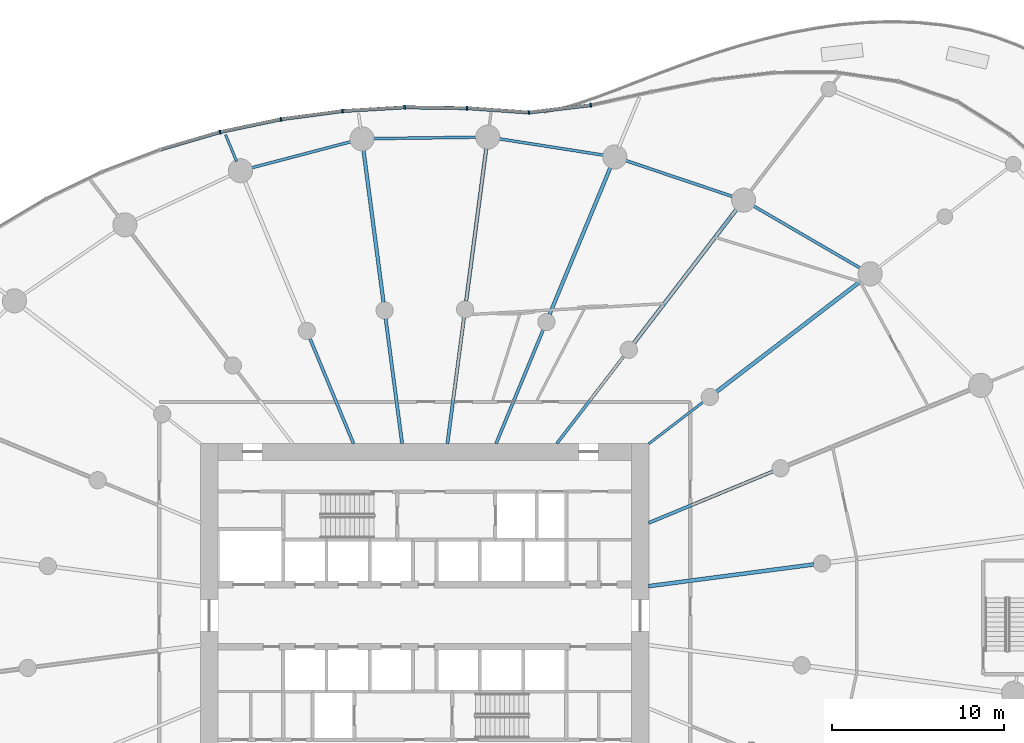
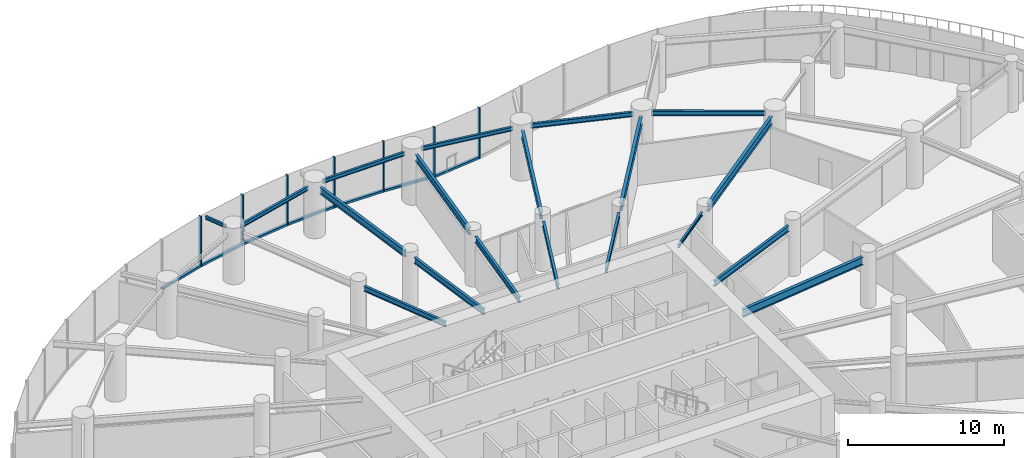
# One storey, part 5 of 21: 19 beams, 14 members, 2 elements without a shape of their own.
"""IFC4 building model written with IfcOpenShell, lengths in metres."""

from ifc_helpers import new_model, si_unit, direction, frame, origin, origin_2d, place, context, subcontext, project, spatial, rectangle, i_section, extrude, source, transform, mapped, material, layer, layer_set, material_profile, profile_set, type_object, element, aggregate, save


model = new_model("IFC4")

# Units and contexts
model_context = context("Model", 3, precision=1e-05, world=origin(), true_north=direction((0.0, 1.0)))
body_context = subcontext(model_context, "Body", "Model", "MODEL_VIEW")
ifc_project = project(units=[si_unit("LENGTHUNIT", "METRE"), si_unit("AREAUNIT", "SQUARE_METRE"), si_unit("VOLUMEUNIT", "CUBIC_METRE"), si_unit("PLANEANGLEUNIT", "RADIAN"), si_unit("MASSUNIT", "GRAM", prefix="KILO")], contexts=[model_context])

# Site, building, storey
site_placement = place(None, origin())
site = spatial("IfcSite", under=ifc_project, at=site_placement, CompositionType="ELEMENT")
building_placement = place(site_placement, origin())
building = spatial("IfcBuilding", under=site, at=building_placement, Name="Spindrift Exchange Tower", CompositionType="ELEMENT")
storey_placement = place(building_placement, frame((0.0, 0.0, 9.39990234375)))
storey = spatial("IfcBuildingStorey", under=building, at=storey_placement, Name="L02", CompositionType="ELEMENT", Elevation=9.39990234375)

# Beams
ifc_material_1 = material(Name="Steel Grade 300", Category="steel")
ifc_material_profile_1 = material_profile(ifc_material_1, i_section(OverallWidth=0.22802734375, OverallDepth=0.60693359375, WebThickness=0.01123046875, FlangeThickness=0.017333984375, FilletRadius=0.013916015625, at=origin_2d()), Name="610UB113")
ifc_profile_set_1 = profile_set([ifc_material_profile_1], Name="Steel Grade 300")
beam_type_1 = type_object("IfcBeamType", Name="Floor Beam 610UB113 Steel Grade 300", PredefinedType="BEAM", material=ifc_profile_set_1)
shared_shape_1 = source(origin(), body_context, "Body", "SweptSolid", [
    extrude(i_section(OverallWidth=0.22802734375, OverallDepth=0.60693359375, WebThickness=0.01123046875, FlangeThickness=0.017333984375, FilletRadius=0.013916015625, at=origin_2d()), origin(), (0.0, 0.0, 1.0), 9.660400390625),
])
beam_1_placement = place(storey_placement, frame((64.980224609375, 49.708984375, 3.646484375), z_axis=(0.99144767089, 0.130504850054, 0.0), x_axis=(-0.130504850054, 0.99144767089, 0.0)))
element("IfcBeam", 1, at=beam_1_placement, inside=storey, type_object=beam_type_1, Name="L02 radial beam R01A", PredefinedType="BEAM", context=body_context, shape_type="MappedRepresentation", body=[
    mapped(shared_shape_1, transform((0.0, 0.0, 0.0), scale=1.0)),
])
ifc_material_profile_2 = material_profile(ifc_material_1, i_section(OverallWidth=0.18994140625, OverallDepth=0.45703125, WebThickness=0.009033203125, FlangeThickness=0.014404296875, FilletRadius=0.013916015625, at=origin_2d()), Name="460UB74.6")
ifc_profile_set_2 = profile_set([ifc_material_profile_2], Name="Steel Grade 300")
beam_type_2 = type_object("IfcBeamType", Name="Floor Beam 460UB74.6 Steel Grade 300", PredefinedType="BEAM", material=ifc_profile_set_2)
shared_shape_2 = source(origin(), body_context, "Body", "SweptSolid", [
    extrude(i_section(OverallWidth=0.18994140625, OverallDepth=0.45703125, WebThickness=0.009033203125, FlangeThickness=0.014404296875, FilletRadius=0.013916015625, at=origin_2d()), origin(), (0.0, 0.0, 1.0), 7.808837890625),
])
beam_2_placement = place(storey_placement, frame((64.9814453125, 53.377197265625, 3.7216796875), z_axis=(0.92387965154, 0.382683145003, 0.0), x_axis=(-0.382683145003, 0.92387965154, 0.0)))
element("IfcBeam", 2, at=beam_2_placement, inside=storey, type_object=beam_type_2, Name="L02 radial beam R02A", PredefinedType="BEAM", context=body_context, shape_type="MappedRepresentation", body=[
    mapped(shared_shape_2, transform((0.0, 0.0, 0.0), scale=1.0)),
])
ifc_material_profile_3 = material_profile(ifc_material_1, i_section(OverallWidth=0.14599609375, OverallDepth=0.251953125, WebThickness=0.006103515625, FlangeThickness=0.008544921875, FilletRadius=0.011962890625, at=origin_2d()), Name="250UB31.4")
ifc_profile_set_3 = profile_set([ifc_material_profile_3], Name="Steel Grade 300")
beam_type_3 = type_object("IfcBeamType", Name="Floor Beam 250UB31.4 Steel Grade 300", PredefinedType="BEAM", material=ifc_profile_set_3)
shared_shape_3 = source(origin(), body_context, "Body", "SweptSolid", [
    extrude(i_section(OverallWidth=0.14599609375, OverallDepth=0.251953125, WebThickness=0.006103515625, FlangeThickness=0.008544921875, FilletRadius=0.011962890625, at=origin_2d()), origin(), (0.0, 0.0, 1.0), 3.99560546875),
])
beam_3_placement = place(storey_placement, frame((64.984130859375, 57.963134765625, 3.82421875), z_axis=(0.793352561574, 0.608762443851, 0.0), x_axis=(-0.608762443851, 0.793352561574, 0.0)))
element("IfcBeam", 3, at=beam_3_placement, inside=storey, type_object=beam_type_3, Name="L02 radial beam R03A", PredefinedType="BEAM", context=body_context, shape_type="MappedRepresentation", body=[
    mapped(shared_shape_3, transform((0.0, 0.0, 0.0), scale=1.0)),
])
shared_shape_4 = source(origin(), body_context, "Body", "SweptSolid", [
    extrude(i_section(OverallWidth=0.22802734375, OverallDepth=0.60693359375, WebThickness=0.01123046875, FlangeThickness=0.017333984375, FilletRadius=0.013916015625, at=origin_2d()), origin(), (0.0, 0.0, 1.0), 10.66357421875),
])
beam_4_placement = place(storey_placement, frame((68.91552734375, 60.979736328125, 3.646484375), z_axis=(0.793357926757, 0.608755451764, 0.0), x_axis=(-0.608755451764, 0.793357926757, 0.0)))
element("IfcBeam", 4, at=beam_4_placement, inside=storey, type_object=beam_type_1, Name="L02 radial beam R03B", PredefinedType="BEAM", context=body_context, shape_type="MappedRepresentation", body=[
    mapped(shared_shape_4, transform((0.0, 0.0, 0.0), scale=1.0)),
])
ifc_material_profile_4 = material_profile(ifc_material_1, i_section(OverallWidth=0.172119140625, OverallDepth=0.35888671875, WebThickness=0.008056640625, FlangeThickness=0.012939453125, FilletRadius=0.013916015625, at=origin_2d()), Name="360UB56.7")
ifc_profile_set_4 = profile_set([ifc_material_profile_4], Name="Steel Grade 300")
beam_type_4 = type_object("IfcBeamType", Name="Floor Beam 360UB56.7 Steel Grade 300", PredefinedType="BEAM", material=ifc_profile_set_4)
shared_shape_5 = source(origin(), body_context, "Body", "SweptSolid", [
    extrude(i_section(OverallWidth=0.172119140625, OverallDepth=0.35888671875, WebThickness=0.008056640625, FlangeThickness=0.012939453125, FilletRadius=0.013916015625, at=origin_2d()), origin(), (0.0, 0.0, 1.0), 6.37646484375),
])
beam_5_placement = place(storey_placement, frame((59.6611328125, 57.984130859375, 3.7705078125), z_axis=(0.608766669952, 0.793349318747, 0.0), x_axis=(-0.793349318747, 0.608766669952, 0.0)))
element("IfcBeam", 5, at=beam_5_placement, inside=storey, type_object=beam_type_4, Name="L02 radial beam R04A", PredefinedType="BEAM", context=body_context, shape_type="MappedRepresentation", body=[
    mapped(shared_shape_5, transform((0.0, 0.0, 0.0), scale=1.0)),
])
shared_shape_6 = source(origin(), body_context, "Body", "SweptSolid", [
    extrude(i_section(OverallWidth=0.22802734375, OverallDepth=0.60693359375, WebThickness=0.01123046875, FlangeThickness=0.017333984375, FilletRadius=0.013916015625, at=origin_2d()), origin(), (0.0, 0.0, 1.0), 9.87548828125),
])
beam_6_placement = place(storey_placement, frame((64.127197265625, 63.8046875, 3.646484375), z_axis=(0.608772470836, 0.793344867477, 0.0), x_axis=(-0.793344867477, 0.608772470836, 0.0)))
element("IfcBeam", 6, at=beam_6_placement, inside=storey, type_object=beam_type_1, Name="L02 radial beam R04B", PredefinedType="BEAM", context=body_context, shape_type="MappedRepresentation", body=[
    mapped(shared_shape_6, transform((0.0, 0.0, 0.0), scale=1.0)),
])
ifc_material_profile_5 = material_profile(ifc_material_1, i_section(OverallWidth=0.177978515625, OverallDepth=0.406005859375, WebThickness=0.0078125, FlangeThickness=0.0126953125, FilletRadius=0.013916015625, at=origin_2d()), Name="410UB59.7")
ifc_profile_set_5 = profile_set([ifc_material_profile_5], Name="Steel Grade 300")
beam_type_5 = type_object("IfcBeamType", Name="Floor Beam 410UB59.7 Steel Grade 300", PredefinedType="BEAM", material=ifc_profile_set_5)
shared_shape_7 = source(origin(), body_context, "Body", "SweptSolid", [
    extrude(i_section(OverallWidth=0.177978515625, OverallDepth=0.406005859375, WebThickness=0.0078125, FlangeThickness=0.0126953125, FilletRadius=0.013916015625, at=origin_2d()), origin(), (0.0, 0.0, 1.0), 7.150634765625),
])
beam_7_placement = place(storey_placement, frame((56.134521484375, 57.9814453125, 3.7470703125), z_axis=(0.382665393358, 0.923887004306, 0.0), x_axis=(-0.923887004306, 0.382665393358, 0.0)))
element("IfcBeam", 7, at=beam_7_placement, inside=storey, type_object=beam_type_5, Name="L02 radial beam R05A", PredefinedType="BEAM", context=body_context, shape_type="MappedRepresentation", body=[
    mapped(shared_shape_7, transform((0.0, 0.0, 0.0), scale=1.0)),
])
ifc_material_profile_6 = material_profile(ifc_material_1, i_section(OverallWidth=0.208984375, OverallDepth=0.532958984375, WebThickness=0.01025390625, FlangeThickness=0.015625, FilletRadius=0.013916015625, at=origin_2d()), Name="530UB92.4")
ifc_profile_set_6 = profile_set([ifc_material_profile_6], Name="Steel Grade 300")
beam_type_6 = type_object("IfcBeamType", Name="Floor Beam 530UB92.4 Steel Grade 300", PredefinedType="BEAM", material=ifc_profile_set_6)
shared_shape_8 = source(origin(), body_context, "Body", "SweptSolid", [
    extrude(i_section(OverallWidth=0.208984375, OverallDepth=0.532958984375, WebThickness=0.01025390625, FlangeThickness=0.015625, FilletRadius=0.013916015625, at=origin_2d()), origin(), (0.0, 0.0, 1.0), 9.309326171875),
])
beam_8_placement = place(storey_placement, frame((59.23828125, 65.474853515625, 3.68359375), z_axis=(0.382685326691, 0.923878747853, 0.0), x_axis=(-0.923878747853, 0.382685326691, 0.0)))
element("IfcBeam", 8, at=beam_8_placement, inside=storey, type_object=beam_type_6, Name="L02 radial beam R05B", PredefinedType="BEAM", context=body_context, shape_type="MappedRepresentation", body=[
    mapped(shared_shape_8, transform((0.0, 0.0, 0.0), scale=1.0)),
])
shared_shape_9 = source(origin(), body_context, "Body", "SweptSolid", [
    extrude(i_section(OverallWidth=0.18994140625, OverallDepth=0.45703125, WebThickness=0.009033203125, FlangeThickness=0.014404296875, FilletRadius=0.013916015625, at=origin_2d()), origin(), (0.0, 0.0, 1.0), 7.374267578125),
])
beam_9_placement = place(storey_placement, frame((53.31396484375, 57.980224609375, 3.7216796875), z_axis=(0.130539295622, 0.99144313619, 0.0), x_axis=(-0.99144313619, 0.130539295622, 0.0)))
element("IfcBeam", 9, at=beam_9_placement, inside=storey, type_object=beam_type_2, Name="L02 radial beam R06A", PredefinedType="BEAM", context=body_context, shape_type="MappedRepresentation", body=[
    mapped(shared_shape_9, transform((0.0, 0.0, 0.0), scale=1.0)),
])
shared_shape_10 = source(origin(), body_context, "Body", "SweptSolid", [
    extrude(i_section(OverallWidth=0.208984375, OverallDepth=0.532958984375, WebThickness=0.01025390625, FlangeThickness=0.015625, FilletRadius=0.013916015625, at=origin_2d()), origin(), (0.0, 0.0, 1.0), 9.020263671875),
])
beam_10_placement = place(storey_placement, frame((54.40185546875, 66.2431640625, 3.68359375), z_axis=(0.13051122338, 0.991446831944, 0.0), x_axis=(-0.991446831944, 0.13051122338, 0.0)))
element("IfcBeam", 10, at=beam_10_placement, inside=storey, type_object=beam_type_6, Name="L02 radial beam R06B", PredefinedType="BEAM", context=body_context, shape_type="MappedRepresentation", body=[
    mapped(shared_shape_10, transform((0.0, 0.0, 0.0), scale=1.0)),
])
shared_shape_11 = source(origin(), body_context, "Body", "SweptSolid", [
    extrude(i_section(OverallWidth=0.18994140625, OverallDepth=0.45703125, WebThickness=0.009033203125, FlangeThickness=0.014404296875, FilletRadius=0.013916015625, at=origin_2d()), origin(), (0.0, 0.0, 1.0), 7.3095703125),
])
beam_11_placement = place(storey_placement, frame((50.68603515625, 57.980224609375, 3.7216796875), z_axis=(-0.130527087244, 0.991444743541, 0.0), x_axis=(-0.991444743541, -0.130527087244, 0.0)))
element("IfcBeam", 11, at=beam_11_placement, inside=storey, type_object=beam_type_2, Name="L02 radial beam R07A", PredefinedType="BEAM", context=body_context, shape_type="MappedRepresentation", body=[
    mapped(shared_shape_11, transform((0.0, 0.0, 0.0), scale=1.0)),
])
shared_shape_12 = source(origin(), body_context, "Body", "SweptSolid", [
    extrude(i_section(OverallWidth=0.208984375, OverallDepth=0.532958984375, WebThickness=0.01025390625, FlangeThickness=0.015625, FilletRadius=0.013916015625, at=origin_2d()), origin(), (0.0, 0.0, 1.0), 8.98388671875),
])
beam_12_placement = place(storey_placement, frame((49.606689453125, 66.17919921875, 3.68359375), z_axis=(-0.130524106785, 0.991445135924, 0.0), x_axis=(-0.991445135924, -0.130524106785, 0.0)))
element("IfcBeam", 12, at=beam_12_placement, inside=storey, type_object=beam_type_6, Name="L02 radial beam R07B", PredefinedType="BEAM", context=body_context, shape_type="MappedRepresentation", body=[
    mapped(shared_shape_12, transform((0.0, 0.0, 0.0), scale=1.0)),
])
shared_shape_13 = source(origin(), body_context, "Body", "SweptSolid", [
    extrude(i_section(OverallWidth=0.177978515625, OverallDepth=0.406005859375, WebThickness=0.0078125, FlangeThickness=0.0126953125, FilletRadius=0.013916015625, at=origin_2d()), origin(), (0.0, 0.0, 1.0), 6.594482421875),
])
beam_13_placement = place(storey_placement, frame((47.865478515625, 57.9814453125, 3.7470703125), z_axis=(-0.382692929746, 0.92387559851, 0.0), x_axis=(-0.92387559851, -0.382692929746, 0.0)))
element("IfcBeam", 13, at=beam_13_placement, inside=storey, type_object=beam_type_5, Name="L02 radial beam R08A", PredefinedType="BEAM", context=body_context, shape_type="MappedRepresentation", body=[
    mapped(shared_shape_13, transform((0.0, 0.0, 0.0), scale=1.0)),
])
ifc_material_profile_7 = material_profile(ifc_material_1, i_section(OverallWidth=0.14599609375, OverallDepth=0.251953125, WebThickness=0.006103515625, FlangeThickness=0.008544921875, FilletRadius=0.011962890625, at=origin_2d()), Name="250UB31.4")
ifc_profile_set_7 = profile_set([ifc_material_profile_7], Name="Steel Grade 300")
beam_type_7 = type_object("IfcBeamType", Name="Cantilever Beam 250UB31.4 Steel Grade 300", PredefinedType="BEAM", material=ifc_profile_set_7)
shared_shape_14 = source(origin(), body_context, "Body", "SweptSolid", [
    extrude(i_section(OverallWidth=0.14599609375, OverallDepth=0.251953125, WebThickness=0.006103515625, FlangeThickness=0.008544921875, FilletRadius=0.011962890625, at=origin_2d()), origin(), (0.0, 0.0, 1.0), 1.677978515625),
])
beam_14_placement = place(storey_placement, frame((41.087890625, 74.344482421875, 3.82421875), z_axis=(-0.382775805905, 0.923841264728, 0.0), x_axis=(-0.923841264728, -0.382775805905, 0.0)))
element("IfcBeam", 14, at=beam_14_placement, inside=storey, type_object=beam_type_7, Name="L02 cantilever beam R08T", PredefinedType="BEAM", context=body_context, shape_type="MappedRepresentation", body=[
    mapped(shared_shape_14, transform((0.0, 0.0, 0.0), scale=1.0)),
])
ifc_material_profile_8 = material_profile(ifc_material_1, i_section(OverallWidth=0.172119140625, OverallDepth=0.35888671875, WebThickness=0.008056640625, FlangeThickness=0.012939453125, FilletRadius=0.013916015625, at=origin_2d()), Name="360UB56.7")
ifc_profile_set_8 = profile_set([ifc_material_profile_8], Name="Steel Grade 300")
beam_type_8 = type_object("IfcBeamType", Name="Edge Beam 360UB56.7 Steel Grade 300", PredefinedType="SPANDREL", material=ifc_profile_set_8)
shared_shape_15 = source(origin(), body_context, "Body", "SweptSolid", [
    extrude(i_section(OverallWidth=0.172119140625, OverallDepth=0.35888671875, WebThickness=0.008056640625, FlangeThickness=0.012939453125, FilletRadius=0.013916015625, at=origin_2d()), origin(), (0.0, 0.0, 1.0), 7.33740234375),
])
beam_15_placement = place(storey_placement, frame((77.33447265625, 68.1162109375, 3.7705078125), z_axis=(-0.864211826308, 0.503128134047, 0.0), x_axis=(-0.503128134047, -0.864211826308, 0.0)))
element("IfcBeam", 15, at=beam_15_placement, inside=storey, type_object=beam_type_8, Name="L02 edge beam E03", PredefinedType="SPANDREL", context=body_context, shape_type="MappedRepresentation", body=[
    mapped(shared_shape_15, transform((0.0, 0.0, 0.0), scale=1.0)),
])
shared_shape_16 = source(origin(), body_context, "Body", "SweptSolid", [
    extrude(i_section(OverallWidth=0.172119140625, OverallDepth=0.35888671875, WebThickness=0.008056640625, FlangeThickness=0.012939453125, FilletRadius=0.013916015625, at=origin_2d()), origin(), (0.0, 0.0, 1.0), 6.72021484375),
])
beam_16_placement = place(storey_placement, frame((69.9423828125, 72.28466796875, 3.7705078125), z_axis=(-0.947851749681, 0.318711563372, 0.0), x_axis=(-0.318711563372, -0.947851749681, 0.0)))
element("IfcBeam", 16, at=beam_16_placement, inside=storey, type_object=beam_type_8, Name="L02 edge beam E04", PredefinedType="SPANDREL", context=body_context, shape_type="MappedRepresentation", body=[
    mapped(shared_shape_16, transform((0.0, 0.0, 0.0), scale=1.0)),
])
ifc_material_profile_9 = material_profile(ifc_material_1, i_section(OverallWidth=0.1650390625, OverallDepth=0.303955078125, WebThickness=0.006103515625, FlangeThickness=0.01025390625, FilletRadius=0.011474609375, at=origin_2d()), Name="310UB40.4")
ifc_profile_set_9 = profile_set([ifc_material_profile_9], Name="Steel Grade 300")
beam_type_9 = type_object("IfcBeamType", Name="Edge Beam 310UB40.4 Steel Grade 300", PredefinedType="SPANDREL", material=ifc_profile_set_9)
shared_shape_17 = source(origin(), body_context, "Body", "SweptSolid", [
    extrude(i_section(OverallWidth=0.1650390625, OverallDepth=0.303955078125, WebThickness=0.006103515625, FlangeThickness=0.01025390625, FilletRadius=0.011474609375, at=origin_2d()), origin(), (0.0, 0.0, 1.0), 6.297119140625),
])
beam_17_placement = place(storey_placement, frame((62.44970703125, 74.70068359375, 3.798095703125), z_axis=(-0.98802902915, 0.154268070436, 0.0), x_axis=(-0.154268070436, -0.98802902915, 0.0)))
element("IfcBeam", 17, at=beam_17_placement, inside=storey, type_object=beam_type_9, Name="L02 edge beam E05", PredefinedType="SPANDREL", context=body_context, shape_type="MappedRepresentation", body=[
    mapped(shared_shape_17, transform((0.0, 0.0, 0.0), scale=1.0)),
])
shared_shape_18 = source(origin(), body_context, "Body", "SweptSolid", [
    extrude(i_section(OverallWidth=0.1650390625, OverallDepth=0.303955078125, WebThickness=0.006103515625, FlangeThickness=0.01025390625, FilletRadius=0.011474609375, at=origin_2d()), origin(), (0.0, 0.0, 1.0), 6.13720703125),
])
beam_18_placement = place(storey_placement, frame((55.074951171875, 75.75341796875, 3.798095703125), z_axis=(-0.999905820907, -0.013724041543, 0.0), x_axis=(0.013724041543, -0.999905820907, 0.0)))
element("IfcBeam", 18, at=beam_18_placement, inside=storey, type_object=beam_type_9, Name="L02 edge beam E06", PredefinedType="SPANDREL", context=body_context, shape_type="MappedRepresentation", body=[
    mapped(shared_shape_18, transform((0.0, 0.0, 0.0), scale=1.0)),
])
shared_shape_19 = source(origin(), body_context, "Body", "SweptSolid", [
    extrude(i_section(OverallWidth=0.1650390625, OverallDepth=0.303955078125, WebThickness=0.006103515625, FlangeThickness=0.01025390625, FilletRadius=0.011474609375, at=origin_2d()), origin(), (0.0, 0.0, 1.0), 6.128173828125),
])
beam_19_placement = place(storey_placement, frame((47.79736328125, 75.513916015625, 3.798095703125), z_axis=(-0.967147261855, -0.254216785216, 0.0), x_axis=(0.254216785216, -0.967147261855, 0.0)))
element("IfcBeam", 19, at=beam_19_placement, inside=storey, type_object=beam_type_9, Name="L02 edge beam E07", PredefinedType="SPANDREL", context=body_context, shape_type="MappedRepresentation", body=[
    mapped(shared_shape_19, transform((0.0, 0.0, 0.0), scale=1.0)),
])

# Curtain wall, members
ifc_material_2 = material(Name="Fritted laminated glass with bronze frame", Category="glass")
ifc_layer = layer(ifc_material_2, 0.219970703125)
ifc_layer_set = layer_set([ifc_layer], Name="PODIUM BRONZE GLAZED WALL")
curtain_wall_type = type_object("IfcCurtainWallType", Name="PODIUM BRONZE GLAZED WALL", PredefinedType="NOTDEFINED", material=ifc_layer_set)
curtain_wall_1_placement = place(storey_placement, origin())
curtain_wall_1 = element("IfcCurtainWall", 20, at=curtain_wall_1_placement, inside=storey, type_object=curtain_wall_type, Name="L02 Podium Bronze Glazed Wall run 3", PredefinedType="NOTDEFINED")
ifc_material_3 = material(Name="Bronze anodised aluminium", Category="aluminium")
ifc_material_profile_10 = material_profile(ifc_material_3, rectangle(XDim=0.090087890625, YDim=0.219970703125, at=origin_2d()), Name="PODIUM BRONZE GLAZED WALL MULLION 90X220")
ifc_profile_set_10 = profile_set([ifc_material_profile_10], Name="Bronze anodised aluminium")
member_type_1 = type_object("IfcMemberType", Name="PODIUM BRONZE GLAZED WALL MULLION 90X220", PredefinedType="MULLION", material=ifc_profile_set_10)
shared_shape_20 = source(origin(), body_context, "Body", "SweptSolid", [
    extrude(rectangle(XDim=0.090087890625, YDim=0.219970703125, at=origin_2d()), origin(), (0.0, 0.0, 1.0), 3.9501953125),
])
member_1_placement = place(storey_placement, frame((61.62841796875, 77.6103515625, 0.0), z_axis=(0.0, 0.0, 1.0), x_axis=(-0.98597730279, -0.166879472623, 0.0)))
member_1 = element("IfcMember", 21, at=member_1_placement, type_object=member_type_1, Name="L02 mullion CW-P.17", PredefinedType="MULLION", context=body_context, shape_type="MappedRepresentation", body=[
    mapped(shared_shape_20, transform((0.0, 0.0, 0.0), scale=1.0)),
])
member_2_placement = place(storey_placement, frame((58.049072265625, 77.18701171875, 0.0), z_axis=(0.0, 0.0, 1.0), x_axis=(-0.99971480894, -0.023880971202, 0.0)))
member_2 = element("IfcMember", 22, at=member_2_placement, type_object=member_type_1, Name="L02 mullion CW-P.18", PredefinedType="MULLION", context=body_context, shape_type="MappedRepresentation", body=[
    mapped(shared_shape_20, transform((0.0, 0.0, 0.0), scale=1.0)),
])

curtain_wall_2_placement = place(storey_placement, origin())
curtain_wall_2 = element("IfcCurtainWall", 23, at=curtain_wall_2_placement, inside=storey, type_object=curtain_wall_type, Name="L02 Podium Bronze Glazed Wall run 4", PredefinedType="NOTDEFINED")
member_3_placement = place(storey_placement, frame((54.4482421875, 77.439208984375, 0.0), z_axis=(0.0, 0.0, 1.0), x_axis=(-0.999141834944, 0.041419725542, 0.0)))
member_3 = element("IfcMember", 24, at=member_3_placement, type_object=member_type_1, Name="L02 mullion CW-P.19", PredefinedType="MULLION", context=body_context, shape_type="MappedRepresentation", body=[
    mapped(shared_shape_20, transform((0.0, 0.0, 0.0), scale=1.0)),
])
member_4_placement = place(storey_placement, frame((50.8388671875, 77.486083984375, 0.0), z_axis=(0.0, 0.0, 1.0), x_axis=(-0.99972757023, -0.023340636714, 0.0)))
member_4 = element("IfcMember", 25, at=member_4_placement, type_object=member_type_1, Name="L02 mullion CW-P.20", PredefinedType="MULLION", context=body_context, shape_type="MappedRepresentation", body=[
    mapped(shared_shape_20, transform((0.0, 0.0, 0.0), scale=1.0)),
])
member_5_placement = place(storey_placement, frame((47.2353515625, 77.27099609375, 0.0), z_axis=(0.0, 0.0, 1.0), x_axis=(-0.995377686886, -0.096037807399, 0.0)))
member_5 = element("IfcMember", 26, at=member_5_placement, type_object=member_type_1, Name="L02 mullion CW-P.21", PredefinedType="MULLION", context=body_context, shape_type="MappedRepresentation", body=[
    mapped(shared_shape_20, transform((0.0, 0.0, 0.0), scale=1.0)),
])
member_6_placement = place(storey_placement, frame((43.6572265625, 76.793212890625, 0.0), z_axis=(0.0, 0.0, 1.0), x_axis=(-0.985576915993, -0.169228078824, 0.0)))
member_6 = element("IfcMember", 27, at=member_6_placement, type_object=member_type_1, Name="L02 mullion CW-P.22", PredefinedType="MULLION", context=body_context, shape_type="MappedRepresentation", body=[
    mapped(shared_shape_20, transform((0.0, 0.0, 0.0), scale=1.0)),
])
member_7_placement = place(storey_placement, frame((40.125, 76.050048828125, 0.0), z_axis=(0.0, 0.0, 1.0), x_axis=(-0.969898222574, -0.243510652433, 0.0)))
member_7 = element("IfcMember", 28, at=member_7_placement, type_object=member_type_1, Name="L02 mullion CW-P.23", PredefinedType="MULLION", context=body_context, shape_type="MappedRepresentation", body=[
    mapped(shared_shape_20, transform((0.0, 0.0, 0.0), scale=1.0)),
])
ifc_material_profile_11 = material_profile(ifc_material_3, rectangle(XDim=0.199951171875, YDim=0.159912109375, at=origin_2d()), Name="PODIUM BRONZE GLAZED WALL TRANSOM 200X160")
ifc_profile_set_11 = profile_set([ifc_material_profile_11], Name="Bronze anodised aluminium")
member_type_2 = type_object("IfcMemberType", Name="PODIUM BRONZE GLAZED WALL TRANSOM 200X160", PredefinedType="USERDEFINED", material=ifc_profile_set_11)
shared_shape_21 = source(origin(), body_context, "Body", "SweptSolid", [
    extrude(rectangle(XDim=0.199951171875, YDim=0.159912109375, at=origin_2d()), origin(), (0.0, 0.0, 1.0), 3.519775390625),
])
member_8_placement = place(storey_placement, frame((54.4033203125, 77.43994140625, 0.080078125), z_axis=(-0.999916775321, 0.012901256951, 0.0), x_axis=(-0.012901256951, -0.999916775321, 0.0)))
member_8 = element("IfcMember", 29, at=member_8_placement, type_object=member_type_2, Name="L02 transom CW-P.19", ObjectType="TRANSOM", PredefinedType="USERDEFINED", context=body_context, shape_type="MappedRepresentation", body=[
    mapped(shared_shape_21, transform((0.0, 0.0, 0.0), scale=1.0)),
])
member_9_placement = place(storey_placement, frame((43.61328125, 76.783935546875, 0.080078125), z_axis=(-0.978579213055, -0.205870648167, 0.0), x_axis=(0.205870648167, -0.978579213055, 0.0)))
member_9 = element("IfcMember", 30, at=member_9_placement, type_object=member_type_2, Name="L02 transom CW-P.22", ObjectType="TRANSOM", PredefinedType="USERDEFINED", context=body_context, shape_type="MappedRepresentation", body=[
    mapped(shared_shape_21, transform((0.0, 0.0, 0.0), scale=1.0)),
])
member_10_placement = place(storey_placement, frame((40.081787109375, 76.037353515625, 0.080078125), z_axis=(-0.959772062062, -0.280780321401, 0.0), x_axis=(0.280780321401, -0.959772062062, 0.0)))
member_10 = element("IfcMember", 31, at=member_10_placement, type_object=member_type_2, Name="L02 transom CW-P.23", ObjectType="TRANSOM", PredefinedType="USERDEFINED", context=body_context, shape_type="MappedRepresentation", body=[
    mapped(shared_shape_21, transform((0.0, 0.0, 0.0), scale=1.0)),
])
shared_shape_22 = source(origin(), body_context, "Body", "SweptSolid", [
    extrude(rectangle(XDim=0.199951171875, YDim=0.159912109375, at=origin_2d()), origin(), (0.0, 0.0, 1.0), 3.52001953125),
])
member_11_placement = place(storey_placement, frame((50.7939453125, 77.4833984375, 0.080078125), z_axis=(-0.99822353944, -0.059579906919, 0.0), x_axis=(0.059579906919, -0.99822353944, 0.0)))
member_11 = element("IfcMember", 32, at=member_11_placement, type_object=member_type_2, Name="L02 transom CW-P.20", ObjectType="TRANSOM", PredefinedType="USERDEFINED", context=body_context, shape_type="MappedRepresentation", body=[
    mapped(shared_shape_22, transform((0.0, 0.0, 0.0), scale=1.0)),
])
member_12_placement = place(storey_placement, frame((47.19091796875, 77.264892578125, 0.080078125), z_axis=(-0.991204867048, -0.132336357591, 0.0), x_axis=(0.132336357591, -0.991204867048, 0.0)))
member_12 = element("IfcMember", 33, at=member_12_placement, type_object=member_type_2, Name="L02 transom CW-P.21", ObjectType="TRANSOM", PredefinedType="USERDEFINED", context=body_context, shape_type="MappedRepresentation", body=[
    mapped(shared_shape_22, transform((0.0, 0.0, 0.0), scale=1.0)),
])
aggregate(curtain_wall_2, [member_3, member_8, member_4, member_11, member_5, member_12, member_6, member_9, member_7, member_10])

# Member
shared_shape_23 = source(origin(), body_context, "Body", "SweptSolid", [
    extrude(rectangle(XDim=0.199951171875, YDim=0.159912109375, at=origin_2d()), origin(), (0.0, 0.0, 1.0), 3.51416015625),
])
member_13_placement = place(storey_placement, frame((61.58349609375, 77.60498046875, 0.080078125), z_axis=(-0.99308309791, -0.117413630577, 0.0), x_axis=(0.117413630577, -0.99308309791, 0.0)))
member_13 = element("IfcMember", 34, at=member_13_placement, type_object=member_type_2, Name="L02 transom CW-P.17", ObjectType="TRANSOM", PredefinedType="USERDEFINED", context=body_context, shape_type="MappedRepresentation", body=[
    mapped(shared_shape_23, transform((0.0, 0.0, 0.0), scale=1.0)),
])

shared_shape_24 = source(origin(), body_context, "Body", "SweptSolid", [
    extrude(rectangle(XDim=0.199951171875, YDim=0.159912109375, at=origin_2d()), origin(), (0.0, 0.0, 1.0), 3.51953125),
])
member_14_placement = place(storey_placement, frame((58.004150390625, 77.190185546875, 0.080078125), z_axis=(-0.997557372332, 0.069851906956, 0.0), x_axis=(-0.069851906956, -0.997557372332, 0.0)))
member_14 = element("IfcMember", 35, at=member_14_placement, type_object=member_type_2, Name="L02 transom CW-P.18", ObjectType="TRANSOM", PredefinedType="USERDEFINED", context=body_context, shape_type="MappedRepresentation", body=[
    mapped(shared_shape_24, transform((0.0, 0.0, 0.0), scale=1.0)),
])

aggregate(curtain_wall_1, [member_1, member_13, member_2, member_14])

save(model, "model.ifc")
